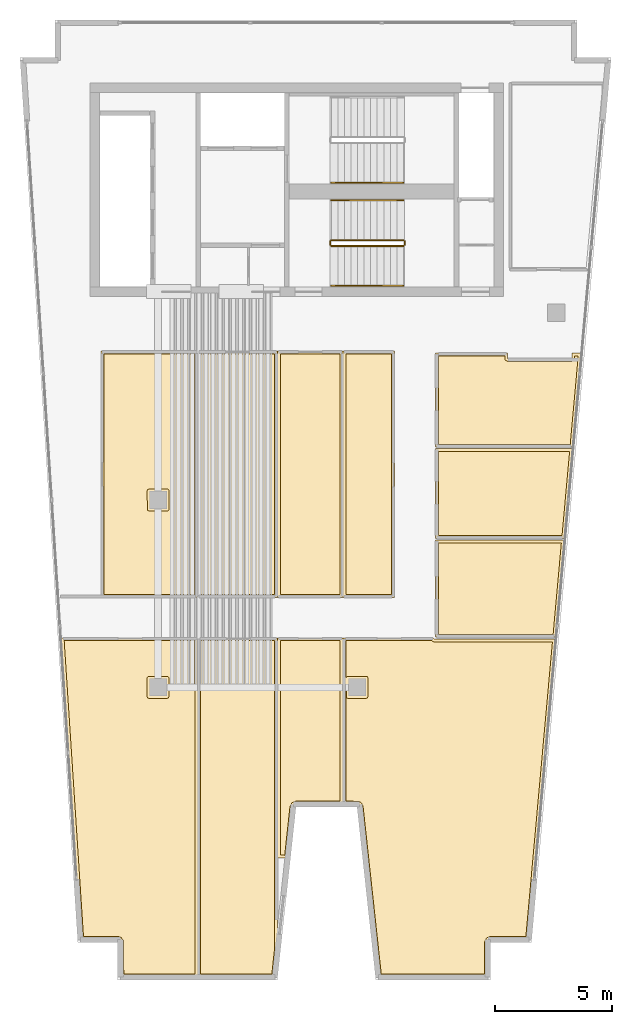
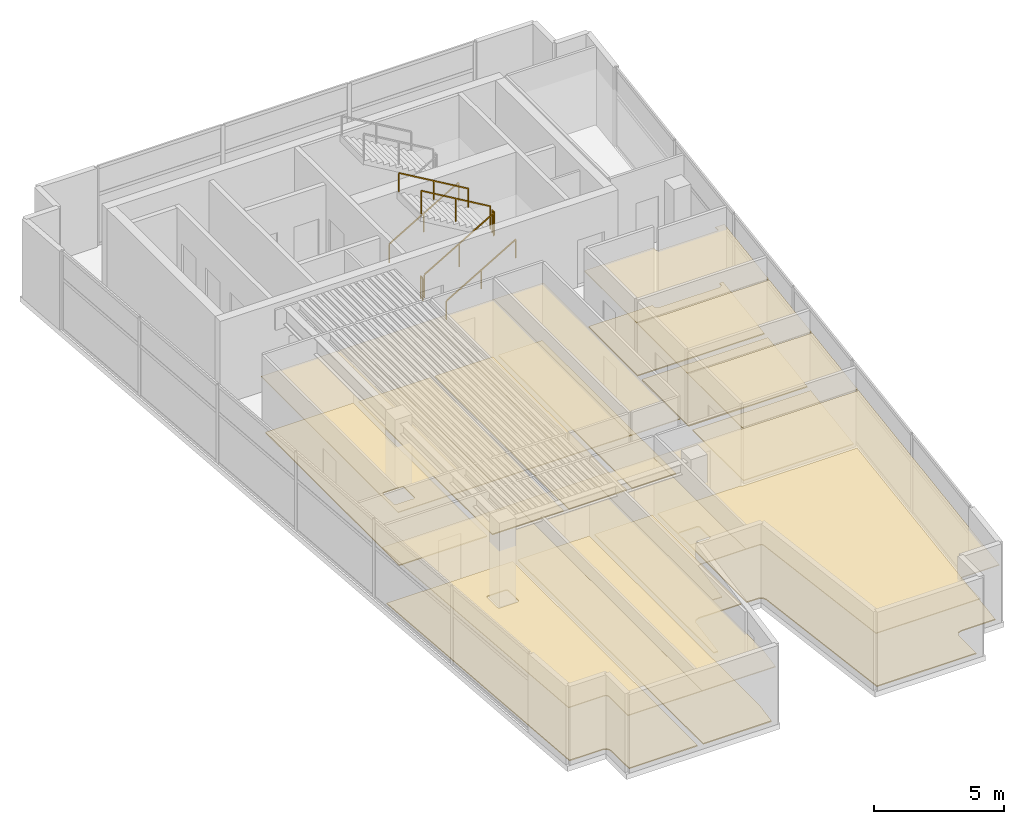
# One storey, part 6 of 7: 22 coverings, 7 railings.
"""IFC4 building model written with IfcOpenShell, lengths in metres."""

import ifcopenshell
import ifcopenshell.guid

model = None  # the IFC model being written
_history = None  # IfcOwnerHistory: only IFC2X3 demands one
_inside = {}  # id of a spatial element -> (the spatial element, [elements in it])
_under = {}  # id of a project, library or spatial element -> (it, [spatial elements below it])
_declared = {}  # id of a project -> (the project, [libraries it declares])
_typed = {}  # id of a type object -> (the type object, [elements of that type])
_made_of = {}  # id of a material, layer set ... -> (it, [elements and type objects made of it])


def new_model(schema):
    """Start an empty IFC model of exactly this schema.

    Asked for "IFC4X3", IfcOpenShell would pick the latest addendum, in which some entities
    have other attributes; the version numbers below select the first issue.
    IFC2X3 requires an IfcOwnerHistory on every rooted entity: one is made here for all.
    """
    global model, _history
    if schema == "IFC4X3":
        model = ifcopenshell.file(schema_version=(4, 3, 0, 0))
    else:
        model = ifcopenshell.file(schema=schema)
    _inside.clear()
    _under.clear()
    _declared.clear()
    _typed.clear()
    _made_of.clear()
    _history = None
    if model.schema == "IFC2X3":
        org = make("IfcOrganization", Name="unknown")
        user = make(
            "IfcPersonAndOrganization",
            ThePerson=make("IfcPerson", FamilyName="unknown"),
            TheOrganization=org,
        )
        app = make(
            "IfcApplication",
            ApplicationDeveloper=org,
            Version="unknown",
            ApplicationFullName="unknown",
            ApplicationIdentifier="unknown",
        )
        _history = make(
            "IfcOwnerHistory",
            OwningUser=user,
            OwningApplication=app,
            ChangeAction="ADDED",
            CreationDate=0,
        )
    return model


def make(cls, **values):
    """One entity of the class cls with the attributes given. An attribute that is None is left unset."""
    return model.create_entity(
        cls, **{name: value for name, value in values.items() if value is not None}
    )


def rooted(cls, **values):
    """An entity with a GlobalId (a new one), such as an element, a storey or a relation."""
    return make(cls, GlobalId=ifcopenshell.guid.new(), OwnerHistory=_history, **values)


def si_unit(unit_type, name, prefix=None):
    """IfcSIUnit, for example si_unit("LENGTHUNIT", "METRE", prefix="MILLI")."""
    return make("IfcSIUnit", UnitType=unit_type, Prefix=prefix, Name=name)


def assignment(units):
    """IfcUnitAssignment: the units of a project."""
    return None if units is None else make("IfcUnitAssignment", Units=units)


def point(xyz):
    """IfcCartesianPoint."""
    return None if xyz is None else make("IfcCartesianPoint", Coordinates=xyz)


def direction(xyz):
    """IfcDirection."""
    return None if xyz is None else make("IfcDirection", DirectionRatios=xyz)


def frame(location, z_axis=None, x_axis=None):
    """IfcAxis2Placement3D, a coordinate frame: its origin and axes. An axis left out is left unset."""
    return make(
        "IfcAxis2Placement3D",
        Location=point(location),
        Axis=direction(z_axis),
        RefDirection=direction(x_axis),
    )


def frame_2d(location, x_axis=None):
    """IfcAxis2Placement2D, a coordinate frame in the plane: its origin and x axis."""
    return make(
        "IfcAxis2Placement2D", Location=point(location), RefDirection=direction(x_axis)
    )


def origin():
    """The frame at (0, 0, 0) with its axes left unset."""
    return frame((0.0, 0.0, 0.0))


def origin_2d():
    """The frame at (0, 0) in the plane with its x axis left unset."""
    return frame_2d((0.0, 0.0))


def place(relative_to, where):
    """IfcLocalPlacement: puts the frame where relative to a parent placement (None: the world)."""
    return make(
        "IfcLocalPlacement", PlacementRelTo=relative_to, RelativePlacement=where
    )


def context(
    kind, dimensions, precision=None, world=None, true_north=None, identifier=None
):
    """IfcGeometricRepresentationContext, for example the 3D "Model" context."""
    return make(
        "IfcGeometricRepresentationContext",
        ContextIdentifier=identifier,
        ContextType=kind,
        CoordinateSpaceDimension=dimensions,
        Precision=precision,
        WorldCoordinateSystem=world,
        TrueNorth=true_north,
    )


def subcontext(parent, identifier, kind, view, scale=None):
    """IfcGeometricRepresentationSubContext, for example "Body" below "Model"."""
    return make(
        "IfcGeometricRepresentationSubContext",
        ContextIdentifier=identifier,
        ContextType=kind,
        ParentContext=parent,
        TargetScale=scale,
        TargetView=view,
    )


def project(units=None, contexts=None):
    """IfcProject with its units and contexts."""
    return rooted(
        "IfcProject",
        Name="project",
        RepresentationContexts=contexts,
        UnitsInContext=assignment(units),
    )


def spatial(cls, under=None, at=None, **own):
    """A site, building, storey or space (cls), placed at a placement, below another one or the project."""
    s = rooted(cls, ObjectPlacement=at, **own)
    if under is not None:
        _under.setdefault(under.id(), (under, []))[1].append(s)
    return s


def polyline(points):
    """IfcPolyline through the points."""
    return make("IfcPolyline", Points=[point(p) for p in points])


def profile(cls, at=None, kind="AREA", **sizes):
    """A parametric profile (cls). Its sizes go by their IFC names, for example OverallWidth=200.0."""
    return make(cls, ProfileType=kind, Position=at, **sizes)


def rectangle(**sizes):
    """IfcRectangleProfileDef."""
    return profile("IfcRectangleProfileDef", **sizes)


def outline(outer, holes=None, kind="AREA"):
    """IfcArbitraryClosedProfileDef: a profile drawn as a closed curve; with holes, ...WithVoids."""
    if holes is None:
        return make("IfcArbitraryClosedProfileDef", ProfileType=kind, OuterCurve=outer)
    return make(
        "IfcArbitraryProfileDefWithVoids",
        ProfileType=kind,
        OuterCurve=outer,
        InnerCurves=holes,
    )


def extrude(swept, where, along, depth):
    """IfcExtrudedAreaSolid: the profile swept, set in the frame where, extruded along a direction by depth."""
    return make(
        "IfcExtrudedAreaSolid",
        SweptArea=swept,
        Position=where,
        ExtrudedDirection=direction(along),
        Depth=depth,
    )


def shape(context_of_items, identifier, shape_type, items):
    """IfcShapeRepresentation: the items that make up one representation, for example the "Body"."""
    return make(
        "IfcShapeRepresentation",
        ContextOfItems=context_of_items,
        RepresentationIdentifier=identifier,
        RepresentationType=shape_type,
        Items=items,
    )


def material(Name=None, Category=None):
    """IfcMaterial."""
    return make("IfcMaterial", Name=Name, Category=Category)


def layer(
    of_material, thickness, ventilated=None, Name=None, Category=None, Priority=None
):
    """IfcMaterialLayer: one layer of a wall or slab, of a material (None: an air gap)."""
    return make(
        "IfcMaterialLayer",
        Material=of_material,
        LayerThickness=thickness,
        IsVentilated=ventilated,
        Name=Name,
        Category=Category,
        Priority=Priority,
    )


def layer_set(layers, Name=None):
    """IfcMaterialLayerSet."""
    return make("IfcMaterialLayerSet", MaterialLayers=layers, LayerSetName=Name)


def made_of(thing, what):
    """Note that an element or type object is made of a material, layer set ...; save() writes the relation."""
    if what is not None:
        _made_of.setdefault(what.id(), (what, []))[1].append(thing)
    return thing


def type_object(cls, material=None, **own):
    """A type object (cls), such as IfcWallType, which elements share."""
    return made_of(rooted(cls, **own), material)


def element(
    cls,
    number,
    at=None,
    inside=None,
    cuts=None,
    type_object=None,
    material=None,
    context=None,
    identifier="Body",
    shape_type=None,
    held_by="IfcProductDefinitionShape",
    body=None,
    shapes=None,
    **own,
):
    """One element of the class cls, such as IfcWall. Its Tag is "e" and its number.

    at: its placement. inside: the storey or other place that contains it. cuts: it is an
    opening in that element (IfcRelVoidsElement). A single representation is given by context,
    identifier, shape_type and body (its items); several are given by shapes. held_by: the class
    of the entity that holds the representations. save() writes the other relations.
    """
    e = rooted(cls, Tag="e%d" % number, ObjectPlacement=at, **own)
    if body is not None:
        shapes = [shape(context, identifier, shape_type, body)]
    if shapes is not None:
        e.Representation = make(held_by, Representations=shapes)
    if inside is not None:
        _inside.setdefault(inside.id(), (inside, []))[1].append(e)
    if cuts is not None:
        rooted(
            "IfcRelVoidsElement", RelatingBuildingElement=cuts, RelatedOpeningElement=e
        )
    if type_object is not None:
        _typed.setdefault(type_object.id(), (type_object, []))[1].append(e)
    return made_of(e, material)


def aggregate(whole, parts):
    """IfcRelAggregates: a whole, such as a stair, and the parts it consists of."""
    return rooted("IfcRelAggregates", RelatingObject=whole, RelatedObjects=parts)


def save(model, path):
    """Write the relations noted so far, then the file.

    IfcRelAggregates (storeys below a building ...), IfcRelContainedInSpatialStructure (elements
    in a storey), IfcRelDefinesByType, IfcRelAssociatesMaterial and IfcRelDeclares: one each for
    every whole, place, type object, material and project.
    """
    for whole, parts in _under.values():
        aggregate(whole, parts)
    for where, things in _inside.values():
        rooted(
            "IfcRelContainedInSpatialStructure",
            RelatedElements=things,
            RelatingStructure=where,
        )
    for kind, things in _typed.values():
        rooted("IfcRelDefinesByType", RelatedObjects=things, RelatingType=kind)
    for what, things in _made_of.values():
        rooted("IfcRelAssociatesMaterial", RelatedObjects=things, RelatingMaterial=what)
    for by, libraries in _declared.values():
        rooted("IfcRelDeclares", RelatingContext=by, RelatedDefinitions=libraries)
    model.write(path)


model = new_model("IFC4")

# Units and contexts
model_context = context("Model", 3, precision=1e-05, world=origin(), true_north=direction((0.0, 1.0)))
body_context = subcontext(model_context, "Body", "Model", "MODEL_VIEW")
ifc_project = project(units=[si_unit("LENGTHUNIT", "METRE"), si_unit("AREAUNIT", "SQUARE_METRE"), si_unit("VOLUMEUNIT", "CUBIC_METRE"), si_unit("PLANEANGLEUNIT", "RADIAN"), si_unit("MASSUNIT", "GRAM", prefix="KILO")], contexts=[model_context])

# Site, building, storey
site_placement = place(None, origin())
site = spatial("IfcSite", under=ifc_project, at=site_placement, CompositionType="ELEMENT")
building_placement = place(site_placement, origin())
building = spatial("IfcBuilding", under=site, at=building_placement, Name="Caeloran Harvest Quay", CompositionType="ELEMENT")
storey_placement = place(building_placement, frame((0.0, 0.0, 304.10009765625)))
storey = spatial("IfcBuildingStorey", under=building, at=storey_placement, Name="L73", CompositionType="ELEMENT", Elevation=304.10009765625)

# Coverings
ifc_material_1 = material(Name="Perforated Mineral-Fibre Acoustic Ceiling Tile", Category="ceiling")
ifc_layer_1 = layer(ifc_material_1, 0.0400390625, Name="Perforated Mineral-Fibre Acoustic Ceiling Tile")
ifc_layer_set_1 = layer_set([ifc_layer_1], Name="Perforated Mineral-Fibre Acoustic Ceiling Tile")
covering_type_1 = type_object("IfcCoveringType", Name="COV-CEILING-ACOUSTIC", PredefinedType="CEILING", material=ifc_layer_set_1)
covering_1_placement = place(storey_placement, frame((0.0, 0.0, 2.599853515625)))
element("IfcCovering", 1, at=covering_1_placement, inside=storey, type_object=covering_type_1, Name="L73 Male Washroom WC Acoustic Ceiling", PredefinedType="CEILING", context=body_context, shape_type="SweptSolid", body=[
    extrude(outline(polyline([(23.429931640625, 29.280029296875), (23.43017578125, 29.048095703125), (23.450927734375, 29.030029296875), (26.152099609375, 29.030029296875), (26.169921875, 29.048095703125), (26.169921875, 29.280029296875), (26.576904296875, 29.280029296875), (26.214599609375, 25.260009765625), (20.360107421875, 25.260009765625), (20.360107421875, 29.280029296875), (23.429931640625, 29.280029296875)])), origin(), (0.0, 0.0, 1.0), 0.0400390625),
])
covering_2_placement = place(storey_placement, frame((0.0, 0.0, 2.599853515625)))
element("IfcCovering", 2, at=covering_2_placement, inside=storey, type_object=covering_type_1, Name="L73 Female Washroom WC Acoustic Ceiling", PredefinedType="CEILING", context=body_context, shape_type="SweptSolid", body=[
    extrude(outline(polyline([(26.208251953125, 25.18994140625), (25.86279296875, 21.360107421875), (20.360107421875, 21.360107421875), (20.360107421875, 25.18994140625), (26.208251953125, 25.18994140625)])), origin(), (0.0, 0.0, 1.0), 0.0400390625),
])
covering_3_placement = place(storey_placement, frame((0.0, 0.0, 2.599853515625)))
element("IfcCovering", 3, at=covering_3_placement, inside=storey, type_object=covering_type_1, Name="L73 Accessible Unisex Washroom WC Acoustic Ceiling", PredefinedType="CEILING", context=body_context, shape_type="SweptSolid", body=[
    extrude(outline(polyline([(25.8564453125, 21.2900390625), (25.482177734375, 17.139892578125), (20.360107421875, 17.139892578125), (20.360107421875, 21.2900390625), (25.8564453125, 21.2900390625)])), origin(), (0.0, 0.0, 1.0), 0.0400390625),
])
covering_4_placement = place(storey_placement, frame((0.0, 0.0, 2.599853515625)))
element("IfcCovering", 4, at=covering_4_placement, inside=storey, type_object=covering_type_1, Name="West Harbour Tasting Kitchen Acoustic Ceiling", PredefinedType="CEILING", context=body_context, shape_type="SweptSolid", body=[
    extrude(outline(polyline([(10.199951171875, 2.639892578125), (10.199951171875, 17.110107421875), (13.60009765625, 17.110107421875), (13.60009765625, 3.868408203125), (13.466796875, 2.639892578125), (10.199951171875, 2.639892578125)])), origin(), (0.0, 0.0, 1.0), 0.0400390625),
])
covering_5_placement = place(storey_placement, frame((0.0, 0.0, 2.599853515625)))
element("IfcCovering", 5, at=covering_5_placement, inside=storey, type_object=covering_type_1, Name="Executive Dining Kitchen Acoustic Ceiling", PredefinedType="CEILING", context=body_context, shape_type="SweptSolid", body=[
    extrude(outline(polyline([(6.90087890625, 4.166015625), (6.843505859375, 4.223388671875), (6.776611328125, 4.239990234375), (5.2041015625, 4.239990234375), (4.36376953125, 17.110107421875), (10.199951171875, 17.110107421875), (10.199951171875, 2.639892578125), (6.91748046875, 2.639892578125), (6.91748046875, 4.09912109375), (6.90087890625, 4.166015625)])), origin(), (0.0, 0.0, 1.0), 0.0400390625),
])
covering_6_placement = place(storey_placement, frame((0.0, 0.0, 2.599853515625)))
element("IfcCovering", 6, at=covering_6_placement, inside=storey, type_object=covering_type_1, Name="Sommelier Prep Kitchen Acoustic Ceiling", PredefinedType="CEILING", context=body_context, shape_type="SweptSolid", body=[
    extrude(outline(polyline([(25.47509765625, 17.06005859375), (24.31884765625, 4.239990234375), (22.70361328125, 4.239990234375), (22.64892578125, 4.229248046875), (22.603515625, 4.198974609375), (22.5732421875, 4.153564453125), (22.5625, 4.09912109375), (22.5625, 2.639892578125), (17.925537109375, 2.639892578125), (17.136962890625, 9.90869140625), (17.098388671875, 9.9794921875), (17.027099609375, 10.017333984375), (16.39990234375, 10.02001953125), (16.39990234375, 17.110107421875), (20.24951171875, 17.110107421875), (20.2900390625, 17.080078125), (20.2900390625, 17.06005859375), (25.47509765625, 17.06005859375)])), origin(), (0.0, 0.0, 1.0), 0.0400390625),
])
covering_7_placement = place(storey_placement, frame((0.0, 0.0, 2.599853515625)))
element("IfcCovering", 7, at=covering_7_placement, inside=storey, type_object=covering_type_1, Name="Crown Culinary Meeting Room Acoustic Ceiling", PredefinedType="CEILING", context=body_context, shape_type="SweptSolid", body=[
    extrude(outline(polyline([(16.39990234375, 17.110107421875), (16.39990234375, 10.02001953125), (14.3935546875, 10.02001953125), (14.30419921875, 9.988525390625), (14.26953125, 9.947021484375), (14.253173828125, 9.89404296875), (14.015380859375, 7.7001953125), (13.60009765625, 7.72265625), (13.60009765625, 17.110107421875), (16.39990234375, 17.110107421875)])), origin(), (0.0, 0.0, 1.0), 0.0400390625),
])
covering_8_placement = place(storey_placement, frame((0.0, 0.0, 2.599853515625)))
element("IfcCovering", 8, at=covering_8_placement, inside=storey, type_object=covering_type_1, Name="Sky-Atrium Observation Lounge Acoustic Ceiling", PredefinedType="CEILING", context=body_context, shape_type="SweptSolid", body=[
    extrude(outline(polyline([(10.199951171875, 29.360107421875), (10.199951171875, 18.840087890625), (6.070068359375, 18.840087890625), (6.070068359375, 29.360107421875), (10.199951171875, 29.360107421875)])), origin(), (0.0, 0.0, 1.0), 0.0400390625),
])
covering_9_placement = place(storey_placement, frame((0.0, 0.0, 2.599853515625)))
element("IfcCovering", 9, at=covering_9_placement, inside=storey, type_object=covering_type_1, Name="Botanical Tea Kitchen Acoustic Ceiling", PredefinedType="CEILING", context=body_context, shape_type="SweptSolid", body=[
    extrude(outline(polyline([(10.199951171875, 29.360107421875), (13.60009765625, 29.360107421875), (13.60009765625, 18.840087890625), (10.199951171875, 18.840087890625), (10.199951171875, 29.360107421875)])), origin(), (0.0, 0.0, 1.0), 0.0400390625),
])
covering_10_placement = place(storey_placement, frame((0.0, 0.0, 2.599853515625)))
element("IfcCovering", 10, at=covering_10_placement, inside=storey, type_object=covering_type_1, Name="West Harbour Tasting Kitchen 7 Acoustic Ceiling", PredefinedType="CEILING", context=body_context, shape_type="SweptSolid", body=[
    extrude(outline(polyline([(13.60009765625, 29.360107421875), (16.39990234375, 29.360107421875), (16.39990234375, 18.840087890625), (13.60009765625, 18.840087890625), (13.60009765625, 29.360107421875)])), origin(), (0.0, 0.0, 1.0), 0.0400390625),
])
covering_11_placement = place(storey_placement, frame((0.0, 0.0, 2.599853515625)))
element("IfcCovering", 11, at=covering_11_placement, inside=storey, type_object=covering_type_1, Name="Executive Dining Kitchen 8 Acoustic Ceiling", PredefinedType="CEILING", context=body_context, shape_type="SweptSolid", body=[
    extrude(outline(polyline([(16.39990234375, 29.360107421875), (18.590087890625, 29.360107421875), (18.590087890625, 18.840087890625), (16.39990234375, 18.840087890625), (16.39990234375, 29.360107421875)])), origin(), (0.0, 0.0, 1.0), 0.0400390625),
])
ifc_material_2 = material(Name="Calcium-Sulphate Raised Access Floor and Terrazzo Finish", Category="flooring")
ifc_layer_2 = layer(ifc_material_2, 0.050048828125, Name="Calcium-Sulphate Raised Access Floor and Terrazzo Finish")
ifc_layer_set_2 = layer_set([ifc_layer_2], Name="Calcium-Sulphate Raised Access Floor and Terrazzo Finish")
covering_type_2 = type_object("IfcCoveringType", Name="COV-FLOOR-RAISED", PredefinedType="FLOORING", material=ifc_layer_set_2)
covering_12_placement = place(storey_placement, origin())
element("IfcCovering", 12, at=covering_12_placement, inside=storey, type_object=covering_type_2, Name="L73 Male Washroom WC Raised Finish Flooring", PredefinedType="FLOORING", context=body_context, shape_type="SweptSolid", body=[
    extrude(outline(polyline([(23.31005859375, 29.159912109375), (23.32861328125, 28.980712890625), (23.449951171875, 28.909912109375), (26.159912109375, 28.910400390625), (26.275146484375, 28.987548828125), (26.2900390625, 29.159912109375), (26.44580078125, 29.159912109375), (26.104736328125, 25.3798828125), (20.47998046875, 25.3798828125), (20.47998046875, 29.159912109375), (23.31005859375, 29.159912109375)])), origin(), (0.0, 0.0, 1.0), 0.0498046875),
])
covering_13_placement = place(storey_placement, origin())
element("IfcCovering", 13, at=covering_13_placement, inside=storey, type_object=covering_type_2, Name="L73 Female Washroom WC Raised Finish Flooring", PredefinedType="FLOORING", context=body_context, shape_type="SweptSolid", body=[
    extrude(outline(polyline([(26.076904296875, 25.070068359375), (25.753173828125, 21.47998046875), (20.47998046875, 21.47998046875), (20.47998046875, 25.070068359375), (26.076904296875, 25.070068359375)])), origin(), (0.0, 0.0, 1.0), 0.0498046875),
])
covering_14_placement = place(storey_placement, origin())
element("IfcCovering", 14, at=covering_14_placement, inside=storey, type_object=covering_type_2, Name="L73 Accessible Unisex Washroom WC Raised Finish Flooring", PredefinedType="FLOORING", context=body_context, shape_type="SweptSolid", body=[
    extrude(outline(polyline([(25.72509765625, 21.169921875), (25.37255859375, 17.260009765625), (20.47998046875, 17.260009765625), (20.47998046875, 21.169921875), (25.72509765625, 21.169921875)])), origin(), (0.0, 0.0, 1.0), 0.0498046875),
])
covering_15_placement = place(storey_placement, origin())
element("IfcCovering", 15, at=covering_15_placement, inside=storey, type_object=covering_type_2, Name="West Harbour Tasting Kitchen Raised Finish Flooring", PredefinedType="FLOORING", context=body_context, shape_type="SweptSolid", body=[
    extrude(outline(polyline([(10.320068359375, 2.760009765625), (10.320068359375, 16.989990234375), (13.47998046875, 16.989990234375), (13.47998046875, 3.874755859375), (13.359130859375, 2.760009765625), (10.320068359375, 2.760009765625)])), origin(), (0.0, 0.0, 1.0), 0.0498046875),
])
covering_16_placement = place(storey_placement, origin())
element("IfcCovering", 16, at=covering_16_placement, inside=storey, type_object=covering_type_2, Name="Executive Dining Kitchen Raised Finish Flooring", PredefinedType="FLOORING", context=body_context, shape_type="SweptSolid", body=[
    extrude(outline(polyline([(7.01904296875, 4.19580078125), (6.92529296875, 4.31396484375), (6.799072265625, 4.35888671875), (5.316650390625, 4.360107421875), (4.49169921875, 16.989990234375), (10.080078125, 16.989990234375), (10.080078125, 2.760009765625), (7.03759765625, 2.760009765625), (7.01904296875, 4.19580078125)]), holes=[polyline([(8.030029296875, 14.610107421875), (8.053466796875, 14.553466796875), (8.102294921875, 14.530517578125), (8.889892578125, 14.530029296875), (8.946533203125, 14.553466796875), (8.969970703125, 14.610107421875), (8.969970703125, 15.389892578125), (8.946533203125, 15.446533203125), (8.889892578125, 15.469970703125), (8.110107421875, 15.469970703125), (8.053466796875, 15.446533203125), (8.030029296875, 15.389892578125), (8.030029296875, 14.610107421875)])]), origin(), (0.0, 0.0, 1.0), 0.0498046875),
])
covering_17_placement = place(storey_placement, origin())
element("IfcCovering", 17, at=covering_17_placement, inside=storey, type_object=covering_type_2, Name="Sommelier Prep Kitchen Raised Finish Flooring", PredefinedType="FLOORING", context=body_context, shape_type="SweptSolid", body=[
    extrude(outline(polyline([(20.18798828125, 16.989990234375), (20.280029296875, 16.93994140625), (25.34375, 16.93994140625), (24.209228515625, 4.360107421875), (22.698486328125, 4.35986328125), (22.53466796875, 4.29833984375), (22.443603515625, 4.12158203125), (22.4423828125, 2.760009765625), (18.033203125, 2.760009765625), (17.255126953125, 9.92919921875), (17.185546875, 10.06201171875), (17.0712890625, 10.1298828125), (16.52001953125, 10.139892578125), (16.52001953125, 16.989990234375), (20.18798828125, 16.989990234375)]), holes=[polyline([(16.530029296875, 15.389892578125), (16.548095703125, 14.55908203125), (16.602294921875, 14.530517578125), (17.389892578125, 14.530029296875), (17.446533203125, 14.553466796875), (17.469970703125, 14.610107421875), (17.469970703125, 15.389892578125), (17.446533203125, 15.446533203125), (17.389892578125, 15.469970703125), (16.610107421875, 15.469970703125), (16.553466796875, 15.446533203125), (16.530029296875, 15.389892578125)])]), origin(), (0.0, 0.0, 1.0), 0.0498046875),
])
covering_18_placement = place(storey_placement, origin())
element("IfcCovering", 18, at=covering_18_placement, inside=storey, type_object=covering_type_2, Name="Crown Culinary Meeting Room Raised Finish Flooring", PredefinedType="FLOORING", context=body_context, shape_type="SweptSolid", body=[
    extrude(outline(polyline([(16.280029296875, 16.989990234375), (16.280029296875, 10.139892578125), (14.388671875, 10.139892578125), (14.21240234375, 10.0673828125), (14.134521484375, 9.911865234375), (13.908203125, 7.826171875), (13.719970703125, 7.836181640625), (13.719970703125, 16.989990234375), (16.280029296875, 16.989990234375)])), origin(), (0.0, 0.0, 1.0), 0.0498046875),
])
covering_19_placement = place(storey_placement, origin())
element("IfcCovering", 19, at=covering_19_placement, inside=storey, type_object=covering_type_2, Name="Sky-Atrium Observation Lounge Raised Finish Flooring", PredefinedType="FLOORING", context=body_context, shape_type="SweptSolid", body=[
    extrude(outline(polyline([(6.18994140625, 29.239990234375), (10.080078125, 29.239990234375), (10.080078125, 18.9599609375), (6.18994140625, 18.9599609375), (6.18994140625, 29.239990234375)]), holes=[polyline([(8.030029296875, 23.389892578125), (8.048095703125, 22.55908203125), (8.102294921875, 22.530517578125), (8.889892578125, 22.530029296875), (8.946533203125, 22.553466796875), (8.969970703125, 22.610107421875), (8.969970703125, 23.389892578125), (8.946533203125, 23.446533203125), (8.889892578125, 23.469970703125), (8.110107421875, 23.469970703125), (8.053466796875, 23.446533203125), (8.030029296875, 23.389892578125)])]), origin(), (0.0, 0.0, 1.0), 0.0498046875),
])
covering_20_placement = place(storey_placement, origin())
element("IfcCovering", 20, at=covering_20_placement, inside=storey, type_object=covering_type_2, Name="Botanical Tea Kitchen Raised Finish Flooring", PredefinedType="FLOORING", context=body_context, shape_type="SweptSolid", body=[
    extrude(outline(polyline([(10.320068359375, 29.239990234375), (13.47998046875, 29.239990234375), (13.47998046875, 18.9599609375), (10.320068359375, 18.9599609375), (10.320068359375, 29.239990234375)])), origin(), (0.0, 0.0, 1.0), 0.0498046875),
])
covering_21_placement = place(storey_placement, origin())
element("IfcCovering", 21, at=covering_21_placement, inside=storey, type_object=covering_type_2, Name="West Harbour Tasting Kitchen 7 Raised Finish Flooring", PredefinedType="FLOORING", context=body_context, shape_type="SweptSolid", body=[
    extrude(outline(polyline([(13.719970703125, 29.239990234375), (16.280029296875, 29.239990234375), (16.280029296875, 18.9599609375), (13.719970703125, 18.9599609375), (13.719970703125, 29.239990234375)])), origin(), (0.0, 0.0, 1.0), 0.0498046875),
])
covering_22_placement = place(storey_placement, origin())
element("IfcCovering", 22, at=covering_22_placement, inside=storey, type_object=covering_type_2, Name="Executive Dining Kitchen 8 Raised Finish Flooring", PredefinedType="FLOORING", context=body_context, shape_type="SweptSolid", body=[
    extrude(outline(polyline([(16.52001953125, 29.239990234375), (18.469970703125, 29.239990234375), (18.469970703125, 18.9599609375), (16.52001953125, 18.9599609375), (16.52001953125, 29.239990234375)])), origin(), (0.0, 0.0, 1.0), 0.0498046875),
])

# Railings
ifc_material_3 = material(Name="Painted Steel Baluster and Top-Rail Stair Guard", Category="steel")
ifc_layer_3 = layer(ifc_material_3, 0.050048828125, Name="Painted Steel Baluster and Top-Rail Stair Guard")
ifc_layer_set_3 = layer_set([ifc_layer_3], Name="Painted Steel Baluster and Top-Rail Stair Guard")
railing_type_1 = type_object("IfcRailingType", Name="STAIR-GUARD-1100", PredefinedType="GUARDRAIL", material=ifc_layer_set_3)
railing_1_placement = place(storey_placement, frame((15.89990234375, 33.85009765625, 0.16455078125)))
element("IfcRailing", 23, at=railing_1_placement, inside=storey, type_object=railing_type_1, Name="L73 ST-C2 stair guard 1", PredefinedType="GUARDRAIL", context=body_context, shape_type="SweptSolid", body=[
    extrude(rectangle(XDim=0.048095703125, YDim=0.048095703125, at=origin_2d()), frame((0.0, 0.0, 1.076171875), z_axis=(0.862118610829, 0.0, 0.506706523406), x_axis=(0.0, 1.0, 0.0)), (0.0, 0.0, 1.0), 3.57275390625),
    extrude(rectangle(XDim=0.0419921875, YDim=0.0419921875, at=origin_2d()), origin(), (0.0, 0.0, 1.0), 1.052001953125),
    extrude(rectangle(XDim=0.0419921875, YDim=0.0419921875, at=origin_2d()), frame((1.5400390625, 0.0, 0.9052734375)), (0.0, 0.0, 1.0), 1.052001953125),
    extrude(rectangle(XDim=0.0419921875, YDim=0.0419921875, at=origin_2d()), frame((3.080078125, 0.0, 1.810302734375)), (0.0, 0.0, 1.0), 1.052001953125),
])
railing_2_placement = place(storey_placement, frame((19.030029296875, 33.89990234375, 1.974853515625)))
element("IfcRailing", 24, at=railing_2_placement, inside=storey, type_object=railing_type_1, Name="L73 ST-C2 stair guard 2", PredefinedType="GUARDRAIL", context=body_context, shape_type="SweptSolid", body=[
    extrude(rectangle(XDim=0.048095703125, YDim=0.048095703125, at=origin_2d()), frame((0.0, 0.0, 1.076171875), z_axis=(0.0, 1.0, 0.0), x_axis=(-1.0, 0.0, 0.0)), (0.0, 0.0, 1.0), 0.150146484375),
    extrude(rectangle(XDim=0.0419921875, YDim=0.0419921875, at=origin_2d()), origin(), (0.0, 0.0, 1.0), 1.052001953125),
    extrude(rectangle(XDim=0.0419921875, YDim=0.0419921875, at=origin_2d()), frame((0.0, 0.150146484375, 0.0)), (0.0, 0.0, 1.0), 1.052001953125),
])
railing_3_placement = place(storey_placement, frame((18.97998046875, 34.10009765625, 2.139404296875)))
element("IfcRailing", 25, at=railing_3_placement, inside=storey, type_object=railing_type_1, Name="L73 ST-C2 stair guard 3", PredefinedType="GUARDRAIL", context=body_context, shape_type="SweptSolid", body=[
    extrude(rectangle(XDim=0.048095703125, YDim=0.048095703125, at=origin_2d()), frame((0.0, 0.0, 1.076171875), z_axis=(-0.862088758681, 0.0, 0.506757310905), x_axis=(0.0, -1.0, 0.0)), (0.0, 0.0, 1.0), 3.57275390625),
    extrude(rectangle(XDim=0.0419921875, YDim=0.0419921875, at=origin_2d()), origin(), (0.0, 0.0, 1.0), 1.052001953125),
    extrude(rectangle(XDim=0.0419921875, YDim=0.0419921875, at=origin_2d()), frame((-1.5400390625, 0.0, 0.9052734375)), (0.0, 0.0, 1.0), 1.052001953125),
    extrude(rectangle(XDim=0.0419921875, YDim=0.0419921875, at=origin_2d()), frame((-3.080078125, 0.0, 1.810546875)), (0.0, 0.0, 1.0), 1.052001953125),
])
railing_4_placement = place(storey_placement, frame((15.85009765625, 33.89990234375, 0.0)))
element("IfcRailing", 26, at=railing_4_placement, inside=storey, type_object=railing_type_1, Name="L73 ST-C2 stair guard 4", PredefinedType="GUARDRAIL", context=body_context, shape_type="SweptSolid", body=[
    extrude(rectangle(XDim=0.048095703125, YDim=0.048095703125, at=origin_2d()), frame((0.0, 0.0, 1.076171875), z_axis=(0.0, 1.0, 0.0), x_axis=(-1.0, 0.0, 0.0)), (0.0, 0.0, 1.0), 0.150146484375),
    extrude(rectangle(XDim=0.0419921875, YDim=0.0419921875, at=origin_2d()), origin(), (0.0, 0.0, 1.0), 1.052001953125),
    extrude(rectangle(XDim=0.0419921875, YDim=0.0419921875, at=origin_2d()), frame((0.0, 0.150146484375, 0.0)), (0.0, 0.0, 1.0), 1.052001953125),
])
ifc_material_4 = material(Name="Brushed Stainless Steel Grade 304", Category="steel")
ifc_layer_4 = layer(ifc_material_4, 0.050048828125, Name="Brushed Stainless Steel Grade 304")
ifc_layer_set_4 = layer_set([ifc_layer_4], Name="Brushed Stainless Steel Grade 304")
railing_type_2 = type_object("IfcRailingType", Name="STAIR-HANDRAIL-900", PredefinedType="HANDRAIL", material=ifc_layer_set_4)
for number, where, name in (
    (27, (15.89990234375, 36.550048828125, 0.16455078125), "L73 ST-C1 stair handrail 1"),
    (28, (15.89990234375, 32.14990234375, 0.16455078125), "L73 ST-C2 stair handrail 1"),
):
    element("IfcRailing", number, at=place(storey_placement, frame(where)), inside=storey, type_object=railing_type_2, Name=name, PredefinedType="HANDRAIL", context=body_context, shape_type="SweptSolid", body=[
        extrude(rectangle(XDim=0.048095703125, YDim=0.048095703125, at=origin_2d()), frame((0.0, 0.0, 0.8759765625), z_axis=(0.862118610829, 0.0, 0.506706523406), x_axis=(0.0, 1.0, 0.0)), (0.0, 0.0, 1.0), 3.57275390625),
        extrude(rectangle(XDim=0.0419921875, YDim=0.0419921875, at=origin_2d()), origin(), (0.0, 0.0, 1.0), 0.851806640625),
        extrude(rectangle(XDim=0.0419921875, YDim=0.0419921875, at=origin_2d()), frame((1.5400390625, 0.0, 0.9052734375)), (0.0, 0.0, 1.0), 0.851806640625),
        extrude(rectangle(XDim=0.0419921875, YDim=0.0419921875, at=origin_2d()), frame((3.080078125, 0.0, 1.810302734375)), (0.0, 0.0, 1.0), 0.851806640625),
    ])
railing_5_placement = place(storey_placement, frame((18.97998046875, 35.800048828125, 2.139404296875)))
element("IfcRailing", 29, at=railing_5_placement, inside=storey, type_object=railing_type_2, Name="L73 ST-C2 stair handrail 2", PredefinedType="HANDRAIL", context=body_context, shape_type="SweptSolid", body=[
    extrude(rectangle(XDim=0.048095703125, YDim=0.048095703125, at=origin_2d()), frame((0.0, 0.0, 0.8759765625), z_axis=(-0.862088758681, 0.0, 0.506757310905), x_axis=(0.0, -1.0, 0.0)), (0.0, 0.0, 1.0), 3.57275390625),
    extrude(rectangle(XDim=0.0419921875, YDim=0.0419921875, at=origin_2d()), origin(), (0.0, 0.0, 1.0), 0.851806640625),
    extrude(rectangle(XDim=0.0419921875, YDim=0.0419921875, at=origin_2d()), frame((-1.5400390625, 0.0, 0.9052734375)), (0.0, 0.0, 1.0), 0.851806640625),
    extrude(rectangle(XDim=0.0419921875, YDim=0.0419921875, at=origin_2d()), frame((-3.080078125, 0.0, 1.810546875)), (0.0, 0.0, 1.0), 0.851806640625),
])

save(model, "model.ifc")
